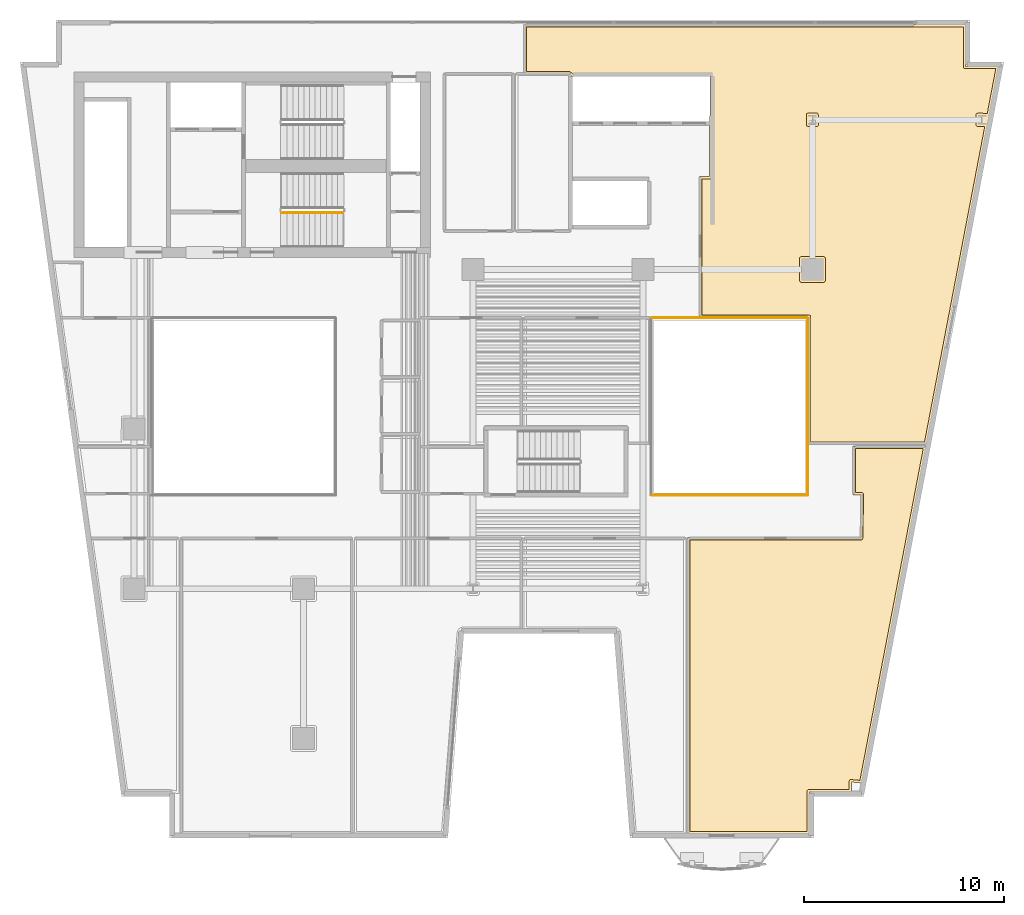
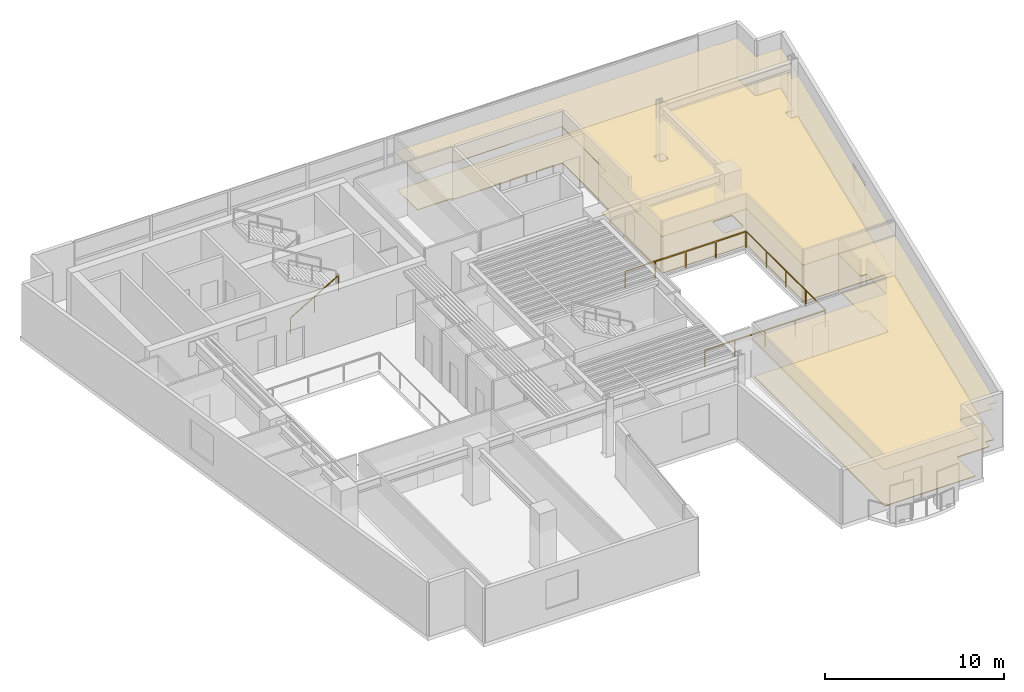
# One storey, part 11 of 12: 4 coverings, 4 railings.
"""IFC4 building model written with IfcOpenShell, lengths in metres."""

import ifcopenshell
import ifcopenshell.guid

model = None  # the IFC model being written
_history = None  # IfcOwnerHistory: only IFC2X3 demands one
_inside = {}  # id of a spatial element -> (the spatial element, [elements in it])
_under = {}  # id of a project, library or spatial element -> (it, [spatial elements below it])
_declared = {}  # id of a project -> (the project, [libraries it declares])
_typed = {}  # id of a type object -> (the type object, [elements of that type])
_made_of = {}  # id of a material, layer set ... -> (it, [elements and type objects made of it])


def new_model(schema):
    """Start an empty IFC model of exactly this schema.

    Asked for "IFC4X3", IfcOpenShell would pick the latest addendum, in which some entities
    have other attributes; the version numbers below select the first issue.
    IFC2X3 requires an IfcOwnerHistory on every rooted entity: one is made here for all.
    """
    global model, _history
    if schema == "IFC4X3":
        model = ifcopenshell.file(schema_version=(4, 3, 0, 0))
    else:
        model = ifcopenshell.file(schema=schema)
    _inside.clear()
    _under.clear()
    _declared.clear()
    _typed.clear()
    _made_of.clear()
    _history = None
    if model.schema == "IFC2X3":
        org = make("IfcOrganization", Name="unknown")
        user = make(
            "IfcPersonAndOrganization",
            ThePerson=make("IfcPerson", FamilyName="unknown"),
            TheOrganization=org,
        )
        app = make(
            "IfcApplication",
            ApplicationDeveloper=org,
            Version="unknown",
            ApplicationFullName="unknown",
            ApplicationIdentifier="unknown",
        )
        _history = make(
            "IfcOwnerHistory",
            OwningUser=user,
            OwningApplication=app,
            ChangeAction="ADDED",
            CreationDate=0,
        )
    return model


def make(cls, **values):
    """One entity of the class cls with the attributes given. An attribute that is None is left unset."""
    return model.create_entity(
        cls, **{name: value for name, value in values.items() if value is not None}
    )


def rooted(cls, **values):
    """An entity with a GlobalId (a new one), such as an element, a storey or a relation."""
    return make(cls, GlobalId=ifcopenshell.guid.new(), OwnerHistory=_history, **values)


def si_unit(unit_type, name, prefix=None):
    """IfcSIUnit, for example si_unit("LENGTHUNIT", "METRE", prefix="MILLI")."""
    return make("IfcSIUnit", UnitType=unit_type, Prefix=prefix, Name=name)


def assignment(units):
    """IfcUnitAssignment: the units of a project."""
    return None if units is None else make("IfcUnitAssignment", Units=units)


def point(xyz):
    """IfcCartesianPoint."""
    return None if xyz is None else make("IfcCartesianPoint", Coordinates=xyz)


def direction(xyz):
    """IfcDirection."""
    return None if xyz is None else make("IfcDirection", DirectionRatios=xyz)


def frame(location, z_axis=None, x_axis=None):
    """IfcAxis2Placement3D, a coordinate frame: its origin and axes. An axis left out is left unset."""
    return make(
        "IfcAxis2Placement3D",
        Location=point(location),
        Axis=direction(z_axis),
        RefDirection=direction(x_axis),
    )


def frame_2d(location, x_axis=None):
    """IfcAxis2Placement2D, a coordinate frame in the plane: its origin and x axis."""
    return make(
        "IfcAxis2Placement2D", Location=point(location), RefDirection=direction(x_axis)
    )


def origin():
    """The frame at (0, 0, 0) with its axes left unset."""
    return frame((0.0, 0.0, 0.0))


def origin_2d():
    """The frame at (0, 0) in the plane with its x axis left unset."""
    return frame_2d((0.0, 0.0))


def place(relative_to, where):
    """IfcLocalPlacement: puts the frame where relative to a parent placement (None: the world)."""
    return make(
        "IfcLocalPlacement", PlacementRelTo=relative_to, RelativePlacement=where
    )


def context(
    kind, dimensions, precision=None, world=None, true_north=None, identifier=None
):
    """IfcGeometricRepresentationContext, for example the 3D "Model" context."""
    return make(
        "IfcGeometricRepresentationContext",
        ContextIdentifier=identifier,
        ContextType=kind,
        CoordinateSpaceDimension=dimensions,
        Precision=precision,
        WorldCoordinateSystem=world,
        TrueNorth=true_north,
    )


def subcontext(parent, identifier, kind, view, scale=None):
    """IfcGeometricRepresentationSubContext, for example "Body" below "Model"."""
    return make(
        "IfcGeometricRepresentationSubContext",
        ContextIdentifier=identifier,
        ContextType=kind,
        ParentContext=parent,
        TargetScale=scale,
        TargetView=view,
    )


def project(units=None, contexts=None):
    """IfcProject with its units and contexts."""
    return rooted(
        "IfcProject",
        Name="project",
        RepresentationContexts=contexts,
        UnitsInContext=assignment(units),
    )


def spatial(cls, under=None, at=None, **own):
    """A site, building, storey or space (cls), placed at a placement, below another one or the project."""
    s = rooted(cls, ObjectPlacement=at, **own)
    if under is not None:
        _under.setdefault(under.id(), (under, []))[1].append(s)
    return s


def polyline(points):
    """IfcPolyline through the points."""
    return make("IfcPolyline", Points=[point(p) for p in points])


def profile(cls, at=None, kind="AREA", **sizes):
    """A parametric profile (cls). Its sizes go by their IFC names, for example OverallWidth=200.0."""
    return make(cls, ProfileType=kind, Position=at, **sizes)


def rectangle(**sizes):
    """IfcRectangleProfileDef."""
    return profile("IfcRectangleProfileDef", **sizes)


def outline(outer, holes=None, kind="AREA"):
    """IfcArbitraryClosedProfileDef: a profile drawn as a closed curve; with holes, ...WithVoids."""
    if holes is None:
        return make("IfcArbitraryClosedProfileDef", ProfileType=kind, OuterCurve=outer)
    return make(
        "IfcArbitraryProfileDefWithVoids",
        ProfileType=kind,
        OuterCurve=outer,
        InnerCurves=holes,
    )


def extrude(swept, where, along, depth):
    """IfcExtrudedAreaSolid: the profile swept, set in the frame where, extruded along a direction by depth."""
    return make(
        "IfcExtrudedAreaSolid",
        SweptArea=swept,
        Position=where,
        ExtrudedDirection=direction(along),
        Depth=depth,
    )


def shape(context_of_items, identifier, shape_type, items):
    """IfcShapeRepresentation: the items that make up one representation, for example the "Body"."""
    return make(
        "IfcShapeRepresentation",
        ContextOfItems=context_of_items,
        RepresentationIdentifier=identifier,
        RepresentationType=shape_type,
        Items=items,
    )


def material(Name=None, Category=None):
    """IfcMaterial."""
    return make("IfcMaterial", Name=Name, Category=Category)


def layer(
    of_material, thickness, ventilated=None, Name=None, Category=None, Priority=None
):
    """IfcMaterialLayer: one layer of a wall or slab, of a material (None: an air gap)."""
    return make(
        "IfcMaterialLayer",
        Material=of_material,
        LayerThickness=thickness,
        IsVentilated=ventilated,
        Name=Name,
        Category=Category,
        Priority=Priority,
    )


def layer_set(layers, Name=None):
    """IfcMaterialLayerSet."""
    return make("IfcMaterialLayerSet", MaterialLayers=layers, LayerSetName=Name)


def made_of(thing, what):
    """Note that an element or type object is made of a material, layer set ...; save() writes the relation."""
    if what is not None:
        _made_of.setdefault(what.id(), (what, []))[1].append(thing)
    return thing


def type_object(cls, material=None, **own):
    """A type object (cls), such as IfcWallType, which elements share."""
    return made_of(rooted(cls, **own), material)


def element(
    cls,
    number,
    at=None,
    inside=None,
    cuts=None,
    type_object=None,
    material=None,
    context=None,
    identifier="Body",
    shape_type=None,
    held_by="IfcProductDefinitionShape",
    body=None,
    shapes=None,
    **own,
):
    """One element of the class cls, such as IfcWall. Its Tag is "e" and its number.

    at: its placement. inside: the storey or other place that contains it. cuts: it is an
    opening in that element (IfcRelVoidsElement). A single representation is given by context,
    identifier, shape_type and body (its items); several are given by shapes. held_by: the class
    of the entity that holds the representations. save() writes the other relations.
    """
    e = rooted(cls, Tag="e%d" % number, ObjectPlacement=at, **own)
    if body is not None:
        shapes = [shape(context, identifier, shape_type, body)]
    if shapes is not None:
        e.Representation = make(held_by, Representations=shapes)
    if inside is not None:
        _inside.setdefault(inside.id(), (inside, []))[1].append(e)
    if cuts is not None:
        rooted(
            "IfcRelVoidsElement", RelatingBuildingElement=cuts, RelatedOpeningElement=e
        )
    if type_object is not None:
        _typed.setdefault(type_object.id(), (type_object, []))[1].append(e)
    return made_of(e, material)


def aggregate(whole, parts):
    """IfcRelAggregates: a whole, such as a stair, and the parts it consists of."""
    return rooted("IfcRelAggregates", RelatingObject=whole, RelatedObjects=parts)


def save(model, path):
    """Write the relations noted so far, then the file.

    IfcRelAggregates (storeys below a building ...), IfcRelContainedInSpatialStructure (elements
    in a storey), IfcRelDefinesByType, IfcRelAssociatesMaterial and IfcRelDeclares: one each for
    every whole, place, type object, material and project.
    """
    for whole, parts in _under.values():
        aggregate(whole, parts)
    for where, things in _inside.values():
        rooted(
            "IfcRelContainedInSpatialStructure",
            RelatedElements=things,
            RelatingStructure=where,
        )
    for kind, things in _typed.values():
        rooted("IfcRelDefinesByType", RelatedObjects=things, RelatingType=kind)
    for what, things in _made_of.values():
        rooted("IfcRelAssociatesMaterial", RelatedObjects=things, RelatingMaterial=what)
    for by, libraries in _declared.values():
        rooted("IfcRelDeclares", RelatingContext=by, RelatedDefinitions=libraries)
    model.write(path)


model = new_model("IFC4")

# Units and contexts
model_context = context("Model", 3, precision=1e-05, world=origin(), true_north=direction((0.0, 1.0)))
body_context = subcontext(model_context, "Body", "Model", "MODEL_VIEW")
ifc_project = project(units=[si_unit("LENGTHUNIT", "METRE"), si_unit("AREAUNIT", "SQUARE_METRE"), si_unit("VOLUMEUNIT", "CUBIC_METRE"), si_unit("PLANEANGLEUNIT", "RADIAN"), si_unit("MASSUNIT", "GRAM", prefix="KILO")], contexts=[model_context])

# Site, building, storey
site_placement = place(None, origin())
site = spatial("IfcSite", under=ifc_project, at=site_placement, CompositionType="ELEMENT")
building_placement = place(site_placement, origin())
building = spatial("IfcBuilding", under=site, at=building_placement, Name="Caeloran Harvest Quay", CompositionType="ELEMENT")
storey_placement = place(building_placement, frame((0.0, 0.0, 150.89990234375)))
storey = spatial("IfcBuildingStorey", under=building, at=storey_placement, Name="L35", CompositionType="ELEMENT", Elevation=150.89990234375)

# Coverings
ifc_material_1 = material(Name="Perforated Mineral-Fibre Acoustic Ceiling Tile", Category="ceiling")
ifc_layer_1 = layer(ifc_material_1, 0.0400390625, Name="Perforated Mineral-Fibre Acoustic Ceiling Tile")
ifc_layer_set_1 = layer_set([ifc_layer_1], Name="Perforated Mineral-Fibre Acoustic Ceiling Tile")
covering_type_1 = type_object("IfcCoveringType", Name="COV-CEILING-ACOUSTIC", PredefinedType="CEILING", material=ifc_layer_set_1)
covering_1_placement = place(storey_placement, frame((0.0, 0.0, 2.60009765625)))
element("IfcCovering", 1, at=covering_1_placement, inside=storey, type_object=covering_type_1, Name="Seed IP Legal Counsel Office Acoustic Ceiling", PredefinedType="CEILING", context=body_context, shape_type="SweptSolid", body=[
    extrude(outline(polyline([(44.5400390625, 19.7099609375), (44.5400390625, 22.159912109375), (48.20068359375, 22.159912109375), (44.974609375, 5.26708984375), (44.4599609375, 5.31591796875), (44.4599609375, 4.820068359375), (42.35009765625, 4.820068359375), (42.35009765625, 2.719970703125), (36.239990234375, 2.719970703125), (36.239990234375, 17.56005859375), (44.910400390625, 17.56005859375), (44.939453125, 19.7099609375), (44.5400390625, 19.7099609375)])), origin(), (0.0, 0.0, 1.0), 0.0400390625),
])
covering_2_placement = place(storey_placement, frame((0.0, 0.0, 2.60009765625)))
element("IfcCovering", 2, at=covering_2_placement, inside=storey, type_object=covering_type_1, Name="Seed IP Legal Counsel Office 11 Acoustic Ceiling", PredefinedType="CEILING", context=body_context, shape_type="SweptSolid", body=[
    extrude(outline(polyline([(48.2158203125, 22.239990234375), (42.2900390625, 22.239990234375), (42.2900390625, 28.590087890625), (36.840087890625, 28.590087890625), (36.840087890625, 35.659912109375), (37.330322265625, 35.659912109375), (37.36962890625, 40.68994140625), (30.44677734375, 40.669921875), (30.33544921875, 40.789794921875), (28.0400390625, 40.7900390625), (28.0400390625, 43.280029296875), (50.179931640625, 43.280029296875), (50.179931640625, 41.179931640625), (51.8330078125, 41.179931640625), (48.2158203125, 22.239990234375)])), origin(), (0.0, 0.0, 1.0), 0.0400390625),
])
ifc_material_2 = material(Name="Calcium-Sulphate Raised Access Floor and Terrazzo Finish", Category="flooring")
ifc_layer_2 = layer(ifc_material_2, 0.050048828125, Name="Calcium-Sulphate Raised Access Floor and Terrazzo Finish")
ifc_layer_set_2 = layer_set([ifc_layer_2], Name="Calcium-Sulphate Raised Access Floor and Terrazzo Finish")
covering_type_2 = type_object("IfcCoveringType", Name="COV-FLOOR-RAISED", PredefinedType="FLOORING", material=ifc_layer_set_2)
covering_3_placement = place(storey_placement, origin())
element("IfcCovering", 3, at=covering_3_placement, inside=storey, type_object=covering_type_2, Name="Seed IP Legal Counsel Office Raised Finish Flooring", PredefinedType="FLOORING", context=body_context, shape_type="SweptSolid", body=[
    extrude(outline(polyline([(44.659912109375, 19.830078125), (44.659912109375, 22.0400390625), (48.055419921875, 22.0400390625), (44.877197265625, 5.39697265625), (44.427490234375, 5.439453125), (44.369140625, 5.421630859375), (44.34033203125, 5.36767578125), (44.340087890625, 4.93994140625), (42.31005859375, 4.93994140625), (42.25341796875, 4.91650390625), (42.22998046875, 4.860107421875), (42.22998046875, 2.840087890625), (36.360107421875, 2.840087890625), (36.360107421875, 17.43994140625), (44.972900390625, 17.443359375), (45.030029296875, 17.518798828125), (45.059814453125, 19.7568359375), (44.99560546875, 19.828369140625), (44.659912109375, 19.830078125)])), origin(), (0.0, 0.0, 1.0), 0.050048828125),
])
covering_4_placement = place(storey_placement, origin())
element("IfcCovering", 4, at=covering_4_placement, inside=storey, type_object=covering_type_2, Name="Seed IP Legal Counsel Office 11 Raised Finish Flooring", PredefinedType="FLOORING", context=body_context, shape_type="SweptSolid", body=[
    extrude(outline(polyline([(50.06005859375, 43.159912109375), (50.078125, 41.089111328125), (50.132080078125, 41.060302734375), (51.68798828125, 41.06005859375), (51.260986328125, 38.82421875), (50.76513671875, 38.83154296875), (50.694580078125, 38.767578125), (50.70654296875, 38.20361328125), (50.76513671875, 38.16845703125), (51.135498046875, 38.16796875), (48.11669921875, 22.360107421875), (42.409912109375, 22.360107421875), (42.391845703125, 28.680908203125), (42.330078125, 28.7099609375), (36.9599609375, 28.7099609375), (36.9599609375, 35.5400390625), (37.377685546875, 35.540283203125), (37.44970703125, 35.611572265625), (37.476806640625, 40.774169921875), (37.409912109375, 40.81005859375), (30.498779296875, 40.7900390625), (30.352783203125, 40.909912109375), (28.159912109375, 40.909912109375), (28.159912109375, 43.159912109375), (50.06005859375, 43.159912109375)]), holes=[polyline([(41.93505859375, 31.64501953125), (41.87841796875, 31.62158203125), (41.85498046875, 31.56494140625), (41.85498046875, 30.43505859375), (41.87841796875, 30.37841796875), (41.93505859375, 30.35498046875), (43.06494140625, 30.35498046875), (43.12158203125, 30.37841796875), (43.14501953125, 30.43505859375), (43.14501953125, 31.56494140625), (43.12158203125, 31.62158203125), (43.06494140625, 31.64501953125), (41.93505859375, 31.64501953125)]), polyline([(42.806884765625, 38.248046875), (42.788818359375, 38.802734375), (42.73486328125, 38.83154296875), (42.27294921875, 38.83203125), (42.21630859375, 38.80859375), (42.193115234375, 38.751953125), (42.193115234375, 38.248046875), (42.21630859375, 38.19140625), (42.27294921875, 38.16796875), (42.72705078125, 38.16796875), (42.78369140625, 38.19140625), (42.806884765625, 38.248046875)])]), origin(), (0.0, 0.0, 1.0), 0.050048828125),
])

# Railings
ifc_material_3 = material(Name="Powder-Coated Steel Post and Laminated Glass Guardrail", Category="steel")
ifc_layer_3 = layer(ifc_material_3, 0.06005859375, Name="Powder-Coated Steel Post and Laminated Glass Guardrail")
ifc_layer_set_3 = layer_set([ifc_layer_3], Name="Powder-Coated Steel Post and Laminated Glass Guardrail")
railing_type_1 = type_object("IfcRailingType", Name="GUARD-ATRIUM-1150", PredefinedType="GUARDRAIL", material=ifc_layer_set_3)
railing_1_placement = place(storey_placement, frame((34.4619140625, 19.679931640625, 0.0)))
element("IfcRailing", 5, at=railing_1_placement, inside=storey, type_object=railing_type_1, Name="L35 East Botanical Lightwell Guardrail Seg 1", PredefinedType="GUARDRAIL", context=body_context, shape_type="SweptSolid", body=[
    extrude(rectangle(XDim=0.048095703125, YDim=0.048095703125, at=origin_2d()), frame((0.0, 0.0, 1.1259765625), z_axis=(1.0, 0.0, 0.0), x_axis=(0.0, 1.0, 0.0)), (0.0, 0.0, 1.0), 7.776123046875),
    extrude(rectangle(XDim=0.0419921875, YDim=0.0419921875, at=origin_2d()), origin(), (0.0, 0.0, 1.0), 1.101806640625),
    extrude(rectangle(XDim=0.0419921875, YDim=0.0419921875, at=origin_2d()), frame((1.944091796875, 0.0, 0.0)), (0.0, 0.0, 1.0), 1.101806640625),
    extrude(rectangle(XDim=0.0419921875, YDim=0.0419921875, at=origin_2d()), frame((3.88818359375, 0.0, 0.0)), (0.0, 0.0, 1.0), 1.101806640625),
    extrude(rectangle(XDim=0.0419921875, YDim=0.0419921875, at=origin_2d()), frame((5.83203125, 0.0, 0.0)), (0.0, 0.0, 1.0), 1.101806640625),
    extrude(rectangle(XDim=0.0419921875, YDim=0.0419921875, at=origin_2d()), frame((7.776123046875, 0.0, 0.0)), (0.0, 0.0, 1.0), 1.101806640625),
])
railing_2_placement = place(storey_placement, frame((42.27001953125, 19.7119140625, 0.0)))
element("IfcRailing", 6, at=railing_2_placement, inside=storey, type_object=railing_type_1, Name="L35 East Botanical Lightwell Guardrail Seg 2", PredefinedType="GUARDRAIL", context=body_context, shape_type="SweptSolid", body=[
    extrude(rectangle(XDim=0.048095703125, YDim=0.048095703125, at=origin_2d()), frame((0.0, 0.0, 1.1259765625), z_axis=(0.0, 1.0, 0.0), x_axis=(-1.0, 0.0, 0.0)), (0.0, 0.0, 1.0), 8.826171875),
    extrude(rectangle(XDim=0.0419921875, YDim=0.0419921875, at=origin_2d()), origin(), (0.0, 0.0, 1.0), 1.101806640625),
    extrude(rectangle(XDim=0.0419921875, YDim=0.0419921875, at=origin_2d()), frame((0.0, 2.20654296875, 0.0)), (0.0, 0.0, 1.0), 1.101806640625),
    extrude(rectangle(XDim=0.0419921875, YDim=0.0419921875, at=origin_2d()), frame((0.0, 4.4130859375, 0.0)), (0.0, 0.0, 1.0), 1.101806640625),
    extrude(rectangle(XDim=0.0419921875, YDim=0.0419921875, at=origin_2d()), frame((0.0, 6.61962890625, 0.0)), (0.0, 0.0, 1.0), 1.101806640625),
    extrude(rectangle(XDim=0.0419921875, YDim=0.0419921875, at=origin_2d()), frame((0.0, 8.826171875, 0.0)), (0.0, 0.0, 1.0), 1.101806640625),
])
railing_3_placement = place(storey_placement, frame((42.238037109375, 28.570068359375, 0.0)))
element("IfcRailing", 7, at=railing_3_placement, inside=storey, type_object=railing_type_1, Name="L35 East Botanical Lightwell Guardrail Seg 3", PredefinedType="GUARDRAIL", context=body_context, shape_type="SweptSolid", body=[
    extrude(rectangle(XDim=0.048095703125, YDim=0.048095703125, at=origin_2d()), frame((0.0, 0.0, 1.1259765625), z_axis=(-1.0, 0.0, 0.0), x_axis=(0.0, -1.0, 0.0)), (0.0, 0.0, 1.0), 7.776123046875),
    extrude(rectangle(XDim=0.0419921875, YDim=0.0419921875, at=origin_2d()), origin(), (0.0, 0.0, 1.0), 1.101806640625),
    extrude(rectangle(XDim=0.0419921875, YDim=0.0419921875, at=origin_2d()), frame((-1.944091796875, 0.0, 0.0)), (0.0, 0.0, 1.0), 1.101806640625),
    extrude(rectangle(XDim=0.0419921875, YDim=0.0419921875, at=origin_2d()), frame((-3.88818359375, 0.0, 0.0)), (0.0, 0.0, 1.0), 1.101806640625),
    extrude(rectangle(XDim=0.0419921875, YDim=0.0419921875, at=origin_2d()), frame((-5.83203125, 0.0, 0.0)), (0.0, 0.0, 1.0), 1.101806640625),
    extrude(rectangle(XDim=0.0419921875, YDim=0.0419921875, at=origin_2d()), frame((-7.776123046875, 0.0, 0.0)), (0.0, 0.0, 1.0), 1.101806640625),
])
ifc_material_4 = material(Name="Painted Steel Baluster and Top-Rail Stair Guard", Category="steel")
ifc_layer_4 = layer(ifc_material_4, 0.050048828125, Name="Painted Steel Baluster and Top-Rail Stair Guard")
ifc_layer_set_4 = layer_set([ifc_layer_4], Name="Painted Steel Baluster and Top-Rail Stair Guard")
railing_type_2 = type_object("IfcRailingType", Name="STAIR-GUARD-1100", PredefinedType="GUARDRAIL", material=ifc_layer_set_4)
railing_4_placement = place(storey_placement, frame((15.89990234375, 33.85009765625, 0.164794921875)))
element("IfcRailing", 8, at=railing_4_placement, inside=storey, type_object=railing_type_2, Name="L35 ST-C2 stair guard 1", PredefinedType="GUARDRAIL", context=body_context, shape_type="SweptSolid", body=[
    extrude(rectangle(XDim=0.048095703125, YDim=0.048095703125, at=origin_2d()), frame((0.0, 0.0, 1.076171875), z_axis=(0.862118610829, 0.0, 0.506706523406), x_axis=(0.0, 1.0, 0.0)), (0.0, 0.0, 1.0), 3.57275390625),
    extrude(rectangle(XDim=0.0419921875, YDim=0.0419921875, at=origin_2d()), origin(), (0.0, 0.0, 1.0), 1.052001953125),
    extrude(rectangle(XDim=0.0419921875, YDim=0.0419921875, at=origin_2d()), frame((1.5400390625, 0.0, 0.9052734375)), (0.0, 0.0, 1.0), 1.052001953125),
    extrude(rectangle(XDim=0.0419921875, YDim=0.0419921875, at=origin_2d()), frame((3.080078125, 0.0, 1.810302734375)), (0.0, 0.0, 1.0), 1.052001953125),
])

save(model, "model.ifc")
